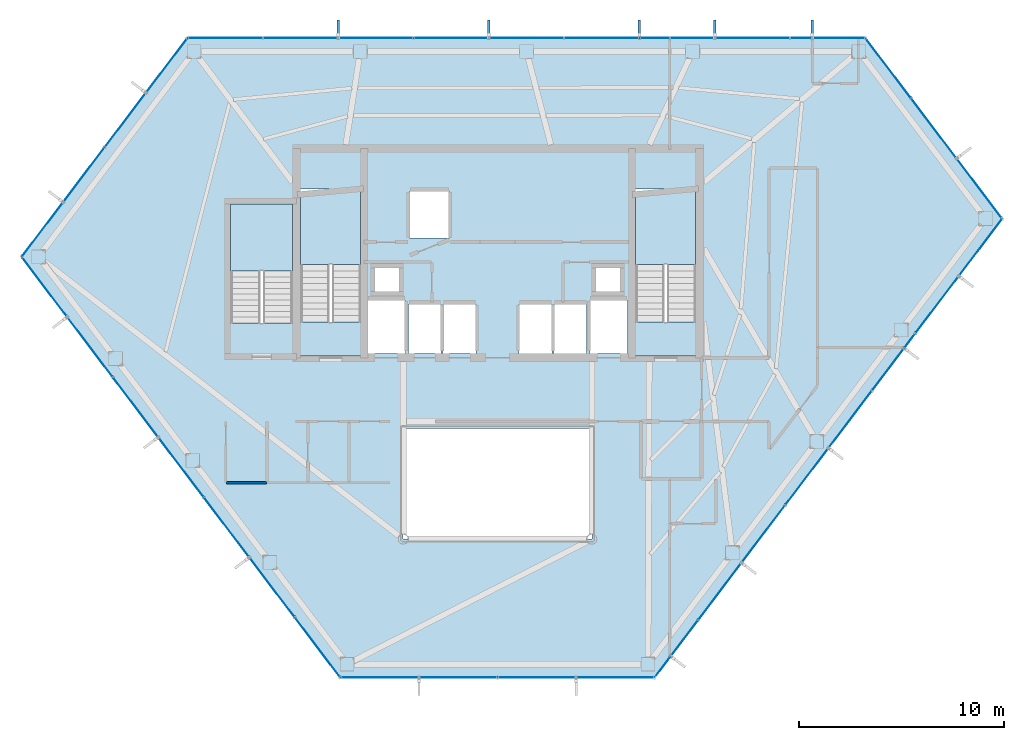
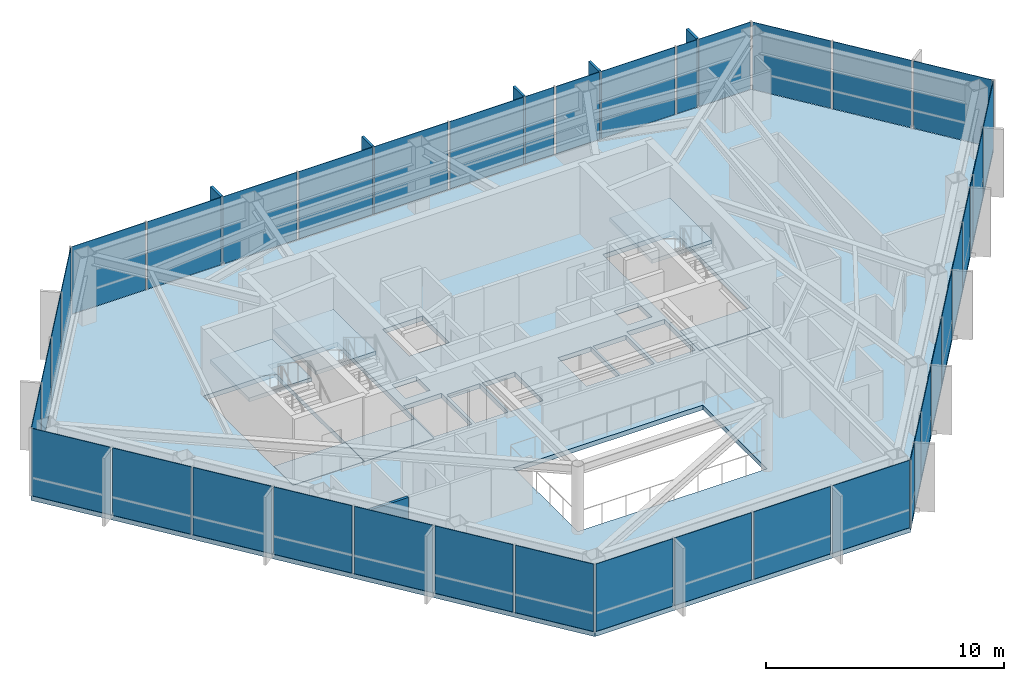
# One storey, part 24 of 28: 39 plates, 7 slabs, 5 members, 1 wall, 9 elements without a shape of their own.
"""IFC4 building model written with IfcOpenShell, lengths in metres."""

from ifc_helpers import new_model, si_unit, direction, frame, frame_2d, origin, origin_2d, place, context, subcontext, project, spatial, polyline, rectangle, outline, extrude, material, layer, layer_set, material_profile, profile_set, type_object, element, aggregate, save


model = new_model("IFC4")

# Units and contexts
model_context = context("Model", 3, precision=1e-05, world=origin(), true_north=direction((0.0, 1.0)))
body_context = subcontext(model_context, "Body", "Model", "MODEL_VIEW")
ifc_project = project(units=[si_unit("LENGTHUNIT", "METRE"), si_unit("AREAUNIT", "SQUARE_METRE"), si_unit("VOLUMEUNIT", "CUBIC_METRE"), si_unit("PLANEANGLEUNIT", "RADIAN"), si_unit("MASSUNIT", "GRAM", prefix="KILO")], contexts=[model_context])

# Site, building, storey
site_placement = place(None, origin())
site = spatial("IfcSite", under=ifc_project, at=site_placement, CompositionType="ELEMENT")
building_placement = place(site_placement, origin())
building = spatial("IfcBuilding", under=site, at=building_placement, Name="Zarrinselat Tower", CompositionType="ELEMENT")
storey_placement = place(building_placement, frame((0.0, 0.0, 168.300048828125)))
storey = spatial("IfcBuildingStorey", under=building, at=storey_placement, Name="L41", CompositionType="ELEMENT", Elevation=168.300048828125)

# Curtain wall, members, plates
ifc_material_1 = material(Name="Extruded Aluminium Alloy EN AW-6063 T6", Category="aluminium")
ifc_layer_1 = layer(ifc_material_1, 0.175048828125)
ifc_layer_set_1 = layer_set([ifc_layer_1], Name="Extruded Aluminium Alloy EN AW-6063 T6")
curtain_wall_type = type_object("IfcCurtainWallType", Name="CWS-HTL", PredefinedType="NOTDEFINED", material=ifc_layer_set_1)
curtain_wall_1_placement = place(storey_placement, origin())
curtain_wall_1 = element("IfcCurtainWall", 1, at=curtain_wall_1_placement, inside=storey, type_object=curtain_wall_type, Name="L41 Unitised Curtain Wall CW-L41-E01", PredefinedType="NOTDEFINED")
ifc_material_2 = material(Name="Honed Cream Travertine Stone", Category="masonry")
ifc_material_profile = material_profile(ifc_material_2, rectangle(XDim=0.1201171875, YDim=0.85009765625, at=origin_2d()), Name="FIN 850x120")
ifc_profile_set = profile_set([ifc_material_profile], Name="Honed Cream Travertine Stone")
member_type = type_object("IfcMemberType", Name="MEM-STONE-FIN", PredefinedType="USERDEFINED", material=ifc_profile_set)
member_1_placement = place(storey_placement, frame((53.74609375, 49.298828125, 0.0), z_axis=(0.0, 0.0, 1.0), x_axis=(1.0, 0.0, 0.0)))
member_1 = element("IfcMember", 2, at=member_1_placement, type_object=member_type, Name="L41 Stone Shading Fin CW-L41-E01-01", ObjectType="FIN", PredefinedType="USERDEFINED", context=body_context, shape_type="SweptSolid", body=[
    extrude(rectangle(XDim=0.1201171875, YDim=0.85009765625, at=origin_2d()), origin(), (0.0, 0.0, 1.0), 3.5),
])
member_2_placement = place(storey_placement, frame((48.99755859375, 49.298828125, 0.0), z_axis=(0.0, 0.0, 1.0), x_axis=(1.0, 0.0, 0.0)))
member_2 = element("IfcMember", 3, at=member_2_placement, type_object=member_type, Name="L41 Stone Shading Fin CW-L41-E01-03", ObjectType="FIN", PredefinedType="USERDEFINED", context=body_context, shape_type="SweptSolid", body=[
    extrude(rectangle(XDim=0.1201171875, YDim=0.85009765625, at=origin_2d()), origin(), (0.0, 0.0, 1.0), 3.5),
])
member_3_placement = place(storey_placement, frame((45.322998046875, 49.298828125, 0.0), z_axis=(0.0, 0.0, 1.0), x_axis=(1.0, 0.0, 0.0)))
member_3 = element("IfcMember", 4, at=member_3_placement, type_object=member_type, Name="L41 Stone Shading Fin CW-L41-E01-05", ObjectType="FIN", PredefinedType="USERDEFINED", context=body_context, shape_type="SweptSolid", body=[
    extrude(rectangle(XDim=0.1201171875, YDim=0.85009765625, at=origin_2d()), origin(), (0.0, 0.0, 1.0), 3.5),
])
member_4_placement = place(storey_placement, frame((37.973876953125, 49.298828125, 0.0), z_axis=(0.0, 0.0, 1.0), x_axis=(1.0, 0.0, 0.0)))
member_4 = element("IfcMember", 5, at=member_4_placement, type_object=member_type, Name="L41 Stone Shading Fin CW-L41-E01-07", ObjectType="FIN", PredefinedType="USERDEFINED", context=body_context, shape_type="SweptSolid", body=[
    extrude(rectangle(XDim=0.1201171875, YDim=0.85009765625, at=origin_2d()), origin(), (0.0, 0.0, 1.0), 3.5),
])
member_5_placement = place(storey_placement, frame((30.62451171875, 49.298828125, 0.0), z_axis=(0.0, 0.0, 1.0), x_axis=(1.0, 0.0, 0.0)))
member_5 = element("IfcMember", 6, at=member_5_placement, type_object=member_type, Name="L41 Stone Shading Fin CW-L41-E01-09", ObjectType="FIN", PredefinedType="USERDEFINED", context=body_context, shape_type="SweptSolid", body=[
    extrude(rectangle(XDim=0.1201171875, YDim=0.85009765625, at=origin_2d()), origin(), (0.0, 0.0, 1.0), 3.5),
])
ifc_material_3 = material(Name="Double Low-E Laminated Solar Glass", Category="glass")
ifc_layer_2 = layer(ifc_material_3, 0.028076171875)
ifc_layer_set_2 = layer_set([ifc_layer_2], Name="Double Low-E Laminated Solar Glass")
plate_type = type_object("IfcPlateType", Name="PLT-CW-GL28", PredefinedType="CURTAIN_PANEL", material=ifc_layer_set_2)
plate_1_placement = place(storey_placement, frame((55.04638671875, 48.8388671875, 0.02001953125), z_axis=(0.0, 0.0, 1.0), x_axis=(-1.0, 0.0, 0.0)))
plate_1 = element("IfcPlate", 7, at=plate_1_placement, type_object=plate_type, Name="CW-L41-E01 Vision Glass Panel 1", PredefinedType="CURTAIN_PANEL", context=body_context, shape_type="SweptSolid", body=[
    extrude(rectangle(XDim=2.500732421875, YDim=0.028076171875, at=origin_2d()), origin(), (0.0, 0.0, 1.0), 3.4599609375),
])
plate_2_placement = place(storey_placement, frame((53.208984375, 48.8388671875, 0.02001953125), z_axis=(0.0, 0.0, 1.0), x_axis=(-1.0, 0.0, 0.0)))
plate_2 = element("IfcPlate", 8, at=plate_2_placement, type_object=plate_type, Name="CW-L41-E01 Vision Glass Panel 2", PredefinedType="CURTAIN_PANEL", context=body_context, shape_type="SweptSolid", body=[
    extrude(rectangle(XDim=0.973876953125, YDim=0.028076171875, at=origin_2d()), origin(), (0.0, 0.0, 1.0), 3.4599609375),
])
plate_3_placement = place(storey_placement, frame((50.834716796875, 48.8388671875, 0.02001953125), z_axis=(0.0, 0.0, 1.0), x_axis=(-1.0, 0.0, 0.0)))
plate_3 = element("IfcPlate", 9, at=plate_3_placement, type_object=plate_type, Name="CW-L41-E01 Vision Glass Panel 3", PredefinedType="CURTAIN_PANEL", context=body_context, shape_type="SweptSolid", body=[
    extrude(rectangle(XDim=3.57470703125, YDim=0.028076171875, at=origin_2d()), origin(), (0.0, 0.0, 1.0), 3.4599609375),
])
plate_4_placement = place(storey_placement, frame((47.898681640625, 48.8388671875, 0.02001953125), z_axis=(0.0, 0.0, 1.0), x_axis=(-1.0, 0.0, 0.0)))
plate_4 = element("IfcPlate", 10, at=plate_4_placement, type_object=plate_type, Name="CW-L41-E01 Vision Glass Panel 4", PredefinedType="CURTAIN_PANEL", context=body_context, shape_type="SweptSolid", body=[
    extrude(rectangle(XDim=2.097412109375, YDim=0.028076171875, at=origin_2d()), origin(), (0.0, 0.0, 1.0), 3.4599609375),
])
plate_5_placement = place(storey_placement, frame((46.0615234375, 48.8388671875, 0.02001953125), z_axis=(0.0, 0.0, 1.0), x_axis=(-1.0, 0.0, 0.0)))
plate_5 = element("IfcPlate", 11, at=plate_5_placement, type_object=plate_type, Name="CW-L41-E01 Vision Glass Panel 5", PredefinedType="CURTAIN_PANEL", context=body_context, shape_type="SweptSolid", body=[
    extrude(rectangle(XDim=1.377197265625, YDim=0.028076171875, at=origin_2d()), origin(), (0.0, 0.0, 1.0), 3.4599609375),
])
plate_6_placement = place(storey_placement, frame((43.485595703125, 48.8388671875, 0.02001953125), z_axis=(0.0, 0.0, 1.0), x_axis=(-1.0, 0.0, 0.0)))
plate_6 = element("IfcPlate", 12, at=plate_6_placement, type_object=plate_type, Name="CW-L41-E01 Vision Glass Panel 6", PredefinedType="CURTAIN_PANEL", context=body_context, shape_type="SweptSolid", body=[
    extrude(rectangle(XDim=3.57470703125, YDim=0.028076171875, at=origin_2d()), origin(), (0.0, 0.0, 1.0), 3.4599609375),
])
plate_7_placement = place(storey_placement, frame((39.81103515625, 48.8388671875, 0.02001953125), z_axis=(0.0, 0.0, 1.0), x_axis=(-1.0, 0.0, 0.0)))
plate_7 = element("IfcPlate", 13, at=plate_7_placement, type_object=plate_type, Name="CW-L41-E01 Vision Glass Panel 7", PredefinedType="CURTAIN_PANEL", context=body_context, shape_type="SweptSolid", body=[
    extrude(rectangle(XDim=3.57470703125, YDim=0.028076171875, at=origin_2d()), origin(), (0.0, 0.0, 1.0), 3.4599609375),
])
plate_8_placement = place(storey_placement, frame((36.136474609375, 48.8388671875, 0.02001953125), z_axis=(0.0, 0.0, 1.0), x_axis=(-1.0, 0.0, 0.0)))
plate_8 = element("IfcPlate", 14, at=plate_8_placement, type_object=plate_type, Name="CW-L41-E01 Vision Glass Panel 8", PredefinedType="CURTAIN_PANEL", context=body_context, shape_type="SweptSolid", body=[
    extrude(rectangle(XDim=3.57470703125, YDim=0.028076171875, at=origin_2d()), origin(), (0.0, 0.0, 1.0), 3.4599609375),
])
plate_9_placement = place(storey_placement, frame((32.4619140625, 48.8388671875, 0.02001953125), z_axis=(0.0, 0.0, 1.0), x_axis=(-1.0, 0.0, 0.0)))
plate_9 = element("IfcPlate", 15, at=plate_9_placement, type_object=plate_type, Name="CW-L41-E01 Vision Glass Panel 9", PredefinedType="CURTAIN_PANEL", context=body_context, shape_type="SweptSolid", body=[
    extrude(rectangle(XDim=3.57470703125, YDim=0.028076171875, at=origin_2d()), origin(), (0.0, 0.0, 1.0), 3.4599609375),
])
plate_10_placement = place(storey_placement, frame((28.787353515625, 48.8388671875, 0.02001953125), z_axis=(0.0, 0.0, 1.0), x_axis=(-1.0, 0.0, 0.0)))
plate_10 = element("IfcPlate", 16, at=plate_10_placement, type_object=plate_type, Name="CW-L41-E01 Vision Glass Panel 10", PredefinedType="CURTAIN_PANEL", context=body_context, shape_type="SweptSolid", body=[
    extrude(rectangle(XDim=3.57470703125, YDim=0.028076171875, at=origin_2d()), origin(), (0.0, 0.0, 1.0), 3.4599609375),
])
plate_11_placement = place(storey_placement, frame((25.11279296875, 48.8388671875, 0.02001953125), z_axis=(0.0, 0.0, 1.0), x_axis=(-1.0, 0.0, 0.0)))
plate_11 = element("IfcPlate", 17, at=plate_11_placement, type_object=plate_type, Name="CW-L41-E01 Vision Glass Panel 11", PredefinedType="CURTAIN_PANEL", context=body_context, shape_type="SweptSolid", body=[
    extrude(rectangle(XDim=3.57470703125, YDim=0.028076171875, at=origin_2d()), origin(), (0.0, 0.0, 1.0), 3.4599609375),
])
aggregate(curtain_wall_1, [member_1, member_2, member_3, member_4, member_5, plate_1, plate_2, plate_3, plate_4, plate_5, plate_6, plate_7, plate_8, plate_9, plate_10, plate_11])

# Curtain wall, plates
curtain_wall_2_placement = place(storey_placement, origin())
curtain_wall_2 = element("IfcCurtainWall", 18, at=curtain_wall_2_placement, inside=storey, type_object=curtain_wall_type, Name="L41 Unitised Curtain Wall CW-L41-E02", PredefinedType="NOTDEFINED")
plate_12_placement = place(storey_placement, frame((22.26513671875, 47.50537109375, 0.02001953125), z_axis=(0.0, 0.0, 1.0), x_axis=(-0.603854523079, -0.797094545808, 0.0)))
plate_12 = element("IfcPlate", 19, at=plate_12_placement, type_object=plate_type, Name="CW-L41-E02 Vision Glass Panel 1", PredefinedType="CURTAIN_PANEL", context=body_context, shape_type="SweptSolid", body=[
    extrude(rectangle(XDim=3.245849609375, YDim=0.028076171875, at=origin_2d()), origin(), (0.0, 0.0, 1.0), 3.4599609375),
])
plate_13_placement = place(storey_placement, frame((20.244873046875, 44.83837890625, 0.02001953125), z_axis=(0.0, 0.0, 1.0), x_axis=(-0.603854523079, -0.797094545808, 0.0)))
plate_13 = element("IfcPlate", 20, at=plate_13_placement, type_object=plate_type, Name="CW-L41-E02 Vision Glass Panel 2", PredefinedType="CURTAIN_PANEL", context=body_context, shape_type="SweptSolid", body=[
    extrude(rectangle(XDim=3.245849609375, YDim=0.028076171875, at=origin_2d()), origin(), (0.0, 0.0, 1.0), 3.4599609375),
])
plate_14_placement = place(storey_placement, frame((18.224365234375, 42.17138671875, 0.02001953125), z_axis=(0.0, 0.0, 1.0), x_axis=(-0.603854523079, -0.797094545808, 0.0)))
plate_14 = element("IfcPlate", 21, at=plate_14_placement, type_object=plate_type, Name="CW-L41-E02 Vision Glass Panel 3", PredefinedType="CURTAIN_PANEL", context=body_context, shape_type="SweptSolid", body=[
    extrude(rectangle(XDim=3.245849609375, YDim=0.028076171875, at=origin_2d()), origin(), (0.0, 0.0, 1.0), 3.4599609375),
])
plate_15_placement = place(storey_placement, frame((16.2041015625, 39.504638671875, 0.02001953125), z_axis=(0.0, 0.0, 1.0), x_axis=(-0.603854523079, -0.797094545808, 0.0)))
plate_15 = element("IfcPlate", 22, at=plate_15_placement, type_object=plate_type, Name="CW-L41-E02 Vision Glass Panel 4", PredefinedType="CURTAIN_PANEL", context=body_context, shape_type="SweptSolid", body=[
    extrude(rectangle(XDim=3.245849609375, YDim=0.028076171875, at=origin_2d()), origin(), (0.0, 0.0, 1.0), 3.4599609375),
])
aggregate(curtain_wall_2, [plate_12, plate_13, plate_14, plate_15])

curtain_wall_3_placement = place(storey_placement, origin())
curtain_wall_3 = element("IfcCurtainWall", 23, at=curtain_wall_3_placement, inside=storey, type_object=curtain_wall_type, Name="L41 Unitised Curtain Wall CW-L41-E03", PredefinedType="NOTDEFINED")
plate_16_placement = place(storey_placement, frame((16.30419921875, 36.70556640625, 0.02001953125), z_axis=(0.0, 0.0, 1.0), x_axis=(0.603857987184, -0.797091921496, 0.0)))
plate_16 = element("IfcPlate", 24, at=plate_16_placement, type_object=plate_type, Name="CW-L41-E03 Vision Glass Panel 1", PredefinedType="CURTAIN_PANEL", context=body_context, shape_type="SweptSolid", body=[
    extrude(rectangle(XDim=3.577392578125, YDim=0.028076171875, at=origin_2d()), origin(), (0.0, 0.0, 1.0), 3.4599609375),
])
plate_17_placement = place(storey_placement, frame((18.524658203125, 33.7744140625, 0.02001953125), z_axis=(0.0, 0.0, 1.0), x_axis=(0.603857987184, -0.797091921496, 0.0)))
plate_17 = element("IfcPlate", 25, at=plate_17_placement, type_object=plate_type, Name="CW-L41-E03 Vision Glass Panel 2", PredefinedType="CURTAIN_PANEL", context=body_context, shape_type="SweptSolid", body=[
    extrude(rectangle(XDim=3.577392578125, YDim=0.028076171875, at=origin_2d()), origin(), (0.0, 0.0, 1.0), 3.4599609375),
])
plate_18_placement = place(storey_placement, frame((20.7451171875, 30.84326171875, 0.02001953125), z_axis=(0.0, 0.0, 1.0), x_axis=(0.603857987184, -0.797091921496, 0.0)))
plate_18 = element("IfcPlate", 26, at=plate_18_placement, type_object=plate_type, Name="CW-L41-E03 Vision Glass Panel 3", PredefinedType="CURTAIN_PANEL", context=body_context, shape_type="SweptSolid", body=[
    extrude(rectangle(XDim=3.577392578125, YDim=0.028076171875, at=origin_2d()), origin(), (0.0, 0.0, 1.0), 3.4599609375),
])
plate_19_placement = place(storey_placement, frame((22.9658203125, 27.912109375, 0.02001953125), z_axis=(0.0, 0.0, 1.0), x_axis=(0.603857987184, -0.797091921496, 0.0)))
plate_19 = element("IfcPlate", 27, at=plate_19_placement, type_object=plate_type, Name="CW-L41-E03 Vision Glass Panel 4", PredefinedType="CURTAIN_PANEL", context=body_context, shape_type="SweptSolid", body=[
    extrude(rectangle(XDim=3.577392578125, YDim=0.028076171875, at=origin_2d()), origin(), (0.0, 0.0, 1.0), 3.4599609375),
])
plate_20_placement = place(storey_placement, frame((25.186279296875, 24.981201171875, 0.02001953125), z_axis=(0.0, 0.0, 1.0), x_axis=(0.603857987184, -0.797091921496, 0.0)))
plate_20 = element("IfcPlate", 28, at=plate_20_placement, type_object=plate_type, Name="CW-L41-E03 Vision Glass Panel 5", PredefinedType="CURTAIN_PANEL", context=body_context, shape_type="SweptSolid", body=[
    extrude(rectangle(XDim=3.577392578125, YDim=0.028076171875, at=origin_2d()), origin(), (0.0, 0.0, 1.0), 3.4599609375),
])
plate_21_placement = place(storey_placement, frame((27.40673828125, 22.050048828125, 0.02001953125), z_axis=(0.0, 0.0, 1.0), x_axis=(0.603857987184, -0.797091921496, 0.0)))
plate_21 = element("IfcPlate", 29, at=plate_21_placement, type_object=plate_type, Name="CW-L41-E03 Vision Glass Panel 6", PredefinedType="CURTAIN_PANEL", context=body_context, shape_type="SweptSolid", body=[
    extrude(rectangle(XDim=3.577392578125, YDim=0.028076171875, at=origin_2d()), origin(), (0.0, 0.0, 1.0), 3.4599609375),
])
plate_22_placement = place(storey_placement, frame((29.627197265625, 19.118896484375, 0.02001953125), z_axis=(0.0, 0.0, 1.0), x_axis=(0.603857987184, -0.797091921496, 0.0)))
plate_22 = element("IfcPlate", 30, at=plate_22_placement, type_object=plate_type, Name="CW-L41-E03 Vision Glass Panel 7", PredefinedType="CURTAIN_PANEL", context=body_context, shape_type="SweptSolid", body=[
    extrude(rectangle(XDim=3.577392578125, YDim=0.028076171875, at=origin_2d()), origin(), (0.0, 0.0, 1.0), 3.4599609375),
])
aggregate(curtain_wall_3, [plate_16, plate_17, plate_18, plate_19, plate_20, plate_21, plate_22])

curtain_wall_4_placement = place(storey_placement, origin())
curtain_wall_4 = element("IfcCurtainWall", 31, at=curtain_wall_4_placement, inside=storey, type_object=curtain_wall_type, Name="L41 Unitised Curtain Wall CW-L41-E04", PredefinedType="NOTDEFINED")
plate_23_placement = place(storey_placement, frame((32.6533203125, 17.6533203125, 0.02001953125), z_axis=(0.0, 0.0, 1.0), x_axis=(1.0, 0.0, 0.0)))
plate_23 = element("IfcPlate", 32, at=plate_23_placement, type_object=plate_type, Name="CW-L41-E04 Vision Glass Panel 1", PredefinedType="CURTAIN_PANEL", context=body_context, shape_type="SweptSolid", body=[
    extrude(rectangle(XDim=3.731201171875, YDim=0.028076171875, at=origin_2d()), origin(), (0.0, 0.0, 1.0), 3.4599609375),
])
plate_24_placement = place(storey_placement, frame((36.484375, 17.6533203125, 0.02001953125), z_axis=(0.0, 0.0, 1.0), x_axis=(1.0, 0.0, 0.0)))
plate_24 = element("IfcPlate", 33, at=plate_24_placement, type_object=plate_type, Name="CW-L41-E04 Vision Glass Panel 2", PredefinedType="CURTAIN_PANEL", context=body_context, shape_type="SweptSolid", body=[
    extrude(rectangle(XDim=3.731201171875, YDim=0.028076171875, at=origin_2d()), origin(), (0.0, 0.0, 1.0), 3.4599609375),
])
plate_25_placement = place(storey_placement, frame((40.315673828125, 17.6533203125, 0.02001953125), z_axis=(0.0, 0.0, 1.0), x_axis=(1.0, 0.0, 0.0)))
plate_25 = element("IfcPlate", 34, at=plate_25_placement, type_object=plate_type, Name="CW-L41-E04 Vision Glass Panel 3", PredefinedType="CURTAIN_PANEL", context=body_context, shape_type="SweptSolid", body=[
    extrude(rectangle(XDim=3.731201171875, YDim=0.028076171875, at=origin_2d()), origin(), (0.0, 0.0, 1.0), 3.4599609375),
])
plate_26_placement = place(storey_placement, frame((44.146728515625, 17.6533203125, 0.02001953125), z_axis=(0.0, 0.0, 1.0), x_axis=(1.0, 0.0, 0.0)))
plate_26 = element("IfcPlate", 35, at=plate_26_placement, type_object=plate_type, Name="CW-L41-E04 Vision Glass Panel 4", PredefinedType="CURTAIN_PANEL", context=body_context, shape_type="SweptSolid", body=[
    extrude(rectangle(XDim=3.731201171875, YDim=0.028076171875, at=origin_2d()), origin(), (0.0, 0.0, 1.0), 3.4599609375),
])
aggregate(curtain_wall_4, [plate_23, plate_24, plate_25, plate_26])

curtain_wall_5_placement = place(storey_placement, origin())
curtain_wall_5 = element("IfcCurtainWall", 36, at=curtain_wall_5_placement, inside=storey, type_object=curtain_wall_type, Name="L41 Unitised Curtain Wall CW-L41-E05", PredefinedType="NOTDEFINED")
plate_27_placement = place(storey_placement, frame((46.455078125, 18.171630859375, 0.02001953125), z_axis=(0.0, 0.0, 1.0), x_axis=(0.603858853713, 0.797091265033, 0.0)))
plate_27 = element("IfcPlate", 37, at=plate_27_placement, type_object=plate_type, Name="CW-L41-E05 Vision Glass Panel 1", PredefinedType="CURTAIN_PANEL", context=body_context, shape_type="SweptSolid", body=[
    extrude(rectangle(XDim=1.20068359375, YDim=0.028076171875, at=origin_2d()), origin(), (0.0, 0.0, 1.0), 3.4599609375),
])
plate_28_placement = place(storey_placement, frame((47.514892578125, 19.570556640625, 0.02001953125), z_axis=(0.0, 0.0, 1.0), x_axis=(0.603858853713, 0.797091265033, 0.0)))
plate_28 = element("IfcPlate", 38, at=plate_28_placement, type_object=plate_type, Name="CW-L41-E05 Vision Glass Panel 2", PredefinedType="CURTAIN_PANEL", context=body_context, shape_type="SweptSolid", body=[
    extrude(rectangle(XDim=2.10888671875, YDim=0.028076171875, at=origin_2d()), origin(), (0.0, 0.0, 1.0), 3.4599609375),
])
plate_29_placement = place(storey_placement, frame((49.241455078125, 21.849609375, 0.02001953125), z_axis=(0.0, 0.0, 1.0), x_axis=(0.603858853713, 0.797091265033, 0.0)))
plate_29 = element("IfcPlate", 39, at=plate_29_placement, type_object=plate_type, Name="CW-L41-E05 Vision Glass Panel 3", PredefinedType="CURTAIN_PANEL", context=body_context, shape_type="SweptSolid", body=[
    extrude(rectangle(XDim=3.40966796875, YDim=0.028076171875, at=origin_2d()), origin(), (0.0, 0.0, 1.0), 3.4599609375),
])
plate_30_placement = place(storey_placement, frame((51.36083984375, 24.647216796875, 0.02001953125), z_axis=(0.0, 0.0, 1.0), x_axis=(0.603858853713, 0.797091265033, 0.0)))
plate_30 = element("IfcPlate", 40, at=plate_30_placement, type_object=plate_type, Name="CW-L41-E05 Vision Glass Panel 4", PredefinedType="CURTAIN_PANEL", context=body_context, shape_type="SweptSolid", body=[
    extrude(rectangle(XDim=3.40966796875, YDim=0.028076171875, at=origin_2d()), origin(), (0.0, 0.0, 1.0), 3.4599609375),
])
plate_31_placement = place(storey_placement, frame((53.480224609375, 27.444580078125, 0.02001953125), z_axis=(0.0, 0.0, 1.0), x_axis=(0.603858853713, 0.797091265033, 0.0)))
plate_31 = element("IfcPlate", 41, at=plate_31_placement, type_object=plate_type, Name="CW-L41-E05 Vision Glass Panel 5", PredefinedType="CURTAIN_PANEL", context=body_context, shape_type="SweptSolid", body=[
    extrude(rectangle(XDim=3.40966796875, YDim=0.028076171875, at=origin_2d()), origin(), (0.0, 0.0, 1.0), 3.4599609375),
])
plate_32_placement = place(storey_placement, frame((55.599609375, 30.2421875, 0.02001953125), z_axis=(0.0, 0.0, 1.0), x_axis=(0.603858853713, 0.797091265033, 0.0)))
plate_32 = element("IfcPlate", 42, at=plate_32_placement, type_object=plate_type, Name="CW-L41-E05 Vision Glass Panel 6", PredefinedType="CURTAIN_PANEL", context=body_context, shape_type="SweptSolid", body=[
    extrude(rectangle(XDim=3.40966796875, YDim=0.028076171875, at=origin_2d()), origin(), (0.0, 0.0, 1.0), 3.4599609375),
])
plate_33_placement = place(storey_placement, frame((57.4453125, 32.6787109375, 0.02001953125), z_axis=(0.0, 0.0, 1.0), x_axis=(0.603858853713, 0.797091265033, 0.0)))
plate_33 = element("IfcPlate", 43, at=plate_33_placement, type_object=plate_type, Name="CW-L41-E05 Vision Glass Panel 7", PredefinedType="CURTAIN_PANEL", context=body_context, shape_type="SweptSolid", body=[
    extrude(rectangle(XDim=2.503662109375, YDim=0.028076171875, at=origin_2d()), origin(), (0.0, 0.0, 1.0), 3.4599609375),
])
plate_34_placement = place(storey_placement, frame((58.5048828125, 34.077392578125, 0.02001953125), z_axis=(0.0, 0.0, 1.0), x_axis=(0.603858853713, 0.797091265033, 0.0)))
plate_34 = element("IfcPlate", 44, at=plate_34_placement, type_object=plate_type, Name="CW-L41-E05 Vision Glass Panel 8", PredefinedType="CURTAIN_PANEL", context=body_context, shape_type="SweptSolid", body=[
    extrude(rectangle(XDim=0.80615234375, YDim=0.028076171875, at=origin_2d()), origin(), (0.0, 0.0, 1.0), 3.4599609375),
])
plate_35_placement = place(storey_placement, frame((59.83837890625, 35.83740234375, 0.02001953125), z_axis=(0.0, 0.0, 1.0), x_axis=(0.603858853713, 0.797091265033, 0.0)))
plate_35 = element("IfcPlate", 45, at=plate_35_placement, type_object=plate_type, Name="CW-L41-E05 Vision Glass Panel 9", PredefinedType="CURTAIN_PANEL", context=body_context, shape_type="SweptSolid", body=[
    extrude(rectangle(XDim=3.40966796875, YDim=0.028076171875, at=origin_2d()), origin(), (0.0, 0.0, 1.0), 3.4599609375),
])
plate_36_placement = place(storey_placement, frame((61.95751953125, 38.635009765625, 0.02001953125), z_axis=(0.0, 0.0, 1.0), x_axis=(0.603858853713, 0.797091265033, 0.0)))
plate_36 = element("IfcPlate", 46, at=plate_36_placement, type_object=plate_type, Name="CW-L41-E05 Vision Glass Panel 10", PredefinedType="CURTAIN_PANEL", context=body_context, shape_type="SweptSolid", body=[
    extrude(rectangle(XDim=3.40966796875, YDim=0.028076171875, at=origin_2d()), origin(), (0.0, 0.0, 1.0), 3.4599609375),
])
aggregate(curtain_wall_5, [plate_27, plate_28, plate_29, plate_30, plate_31, plate_32, plate_33, plate_34, plate_35, plate_36])

curtain_wall_6_placement = place(storey_placement, origin())
curtain_wall_6 = element("IfcCurtainWall", 47, at=curtain_wall_6_placement, inside=storey, type_object=curtain_wall_type, Name="L41 Unitised Curtain Wall CW-L41-E06", PredefinedType="NOTDEFINED")
plate_37_placement = place(storey_placement, frame((61.905517578125, 41.501220703125, 0.02001953125), z_axis=(0.0, 0.0, 1.0), x_axis=(-0.603857339419, 0.797092412227, 0.0)))
plate_37 = element("IfcPlate", 48, at=plate_37_placement, type_object=plate_type, Name="CW-L41-E06 Vision Glass Panel 1", PredefinedType="CURTAIN_PANEL", context=body_context, shape_type="SweptSolid", body=[
    extrude(rectangle(XDim=3.582275390625, YDim=0.028076171875, at=origin_2d()), origin(), (0.0, 0.0, 1.0), 3.4599609375),
])
plate_38_placement = place(storey_placement, frame((59.681884765625, 44.436279296875, 0.02001953125), z_axis=(0.0, 0.0, 1.0), x_axis=(-0.603857339419, 0.797092412227, 0.0)))
plate_38 = element("IfcPlate", 49, at=plate_38_placement, type_object=plate_type, Name="CW-L41-E06 Vision Glass Panel 2", PredefinedType="CURTAIN_PANEL", context=body_context, shape_type="SweptSolid", body=[
    extrude(rectangle(XDim=3.582275390625, YDim=0.028076171875, at=origin_2d()), origin(), (0.0, 0.0, 1.0), 3.4599609375),
])
plate_39_placement = place(storey_placement, frame((57.45849609375, 47.371337890625, 0.02001953125), z_axis=(0.0, 0.0, 1.0), x_axis=(-0.603857339419, 0.797092412227, 0.0)))
plate_39 = element("IfcPlate", 50, at=plate_39_placement, type_object=plate_type, Name="CW-L41-E06 Vision Glass Panel 3", PredefinedType="CURTAIN_PANEL", context=body_context, shape_type="SweptSolid", body=[
    extrude(rectangle(XDim=3.582275390625, YDim=0.028076171875, at=origin_2d()), origin(), (0.0, 0.0, 1.0), 3.4599609375),
])
aggregate(curtain_wall_6, [plate_37, plate_38, plate_39])

# Slabs
ifc_material_4 = material(Name="Concrete C40/50", Category="concrete")
ifc_layer_3 = layer(ifc_material_4, 0.239990234375)
ifc_layer_set_3 = layer_set([ifc_layer_3], Name="Concrete C40/50")
slab_type_1 = type_object("IfcSlabType", Name="SLB-FLOOR-240-SL-HT240", PredefinedType="FLOOR", material=ifc_layer_set_3)
slab_1_placement = place(storey_placement, frame((0.0, 0.0, -0.239990234375)))
element("IfcSlab", 51, at=slab_1_placement, inside=storey, type_object=slab_type_1, Name="L41 Primary Structural Slab", PredefinedType="FLOOR", context=body_context, shape_type="SweptSolid", body=[
    extrude(outline(polyline([(56.3466796875, 48.8388671875), (23.275390625, 48.8388671875), (15.19384765625, 38.171142578125), (30.737548828125, 17.6533203125), (46.0625, 17.6533203125), (63.017333984375, 40.03369140625), (56.3466796875, 48.8388671875)]), holes=[polyline([(35.64990234375, 33.449951171875), (34.050048828125, 33.449951171875), (34.050048828125, 35.85009765625), (35.64990234375, 35.85009765625), (35.64990234375, 33.449951171875)]), polyline([(35.75, 33.449951171875), (35.75, 35.85009765625), (37.35009765625, 35.85009765625), (37.35009765625, 33.449951171875), (35.75, 33.449951171875)]), polyline([(32.06005859375, 33.449951171875), (32.06005859375, 36.050048828125), (33.89990234375, 36.050048828125), (33.89990234375, 33.449951171875), (32.06005859375, 33.449951171875)]), polyline([(33.60009765625, 36.47998046875), (32.419921875, 36.47998046875), (32.419921875, 37.639892578125), (33.60009765625, 37.639892578125), (33.60009765625, 36.47998046875)]), polyline([(28.594970703125, 33.324951171875), (25.114990234375, 33.324951171875), (25.114990234375, 40.875), (28.594970703125, 40.875), (28.594970703125, 33.324951171875)]), polyline([(31.985107421875, 33.324951171875), (28.60498046875, 33.324951171875), (28.60498046875, 41.47509765625), (31.985107421875, 41.47509765625), (31.985107421875, 33.324951171875)]), polyline([(36.050048828125, 39.10009765625), (34.10009765625, 39.10009765625), (34.10009765625, 41.35009765625), (36.050048828125, 41.35009765625), (36.050048828125, 39.10009765625)]), polyline([(33.800048828125, 24.39990234375), (33.800048828125, 29.800048828125), (43.0, 29.800048828125), (43.0, 24.39990234375), (33.800048828125, 24.39990234375)]), polyline([(39.449951171875, 33.449951171875), (39.449951171875, 35.85009765625), (41.050048828125, 35.85009765625), (41.050048828125, 33.449951171875), (39.449951171875, 33.449951171875)]), polyline([(41.14990234375, 33.449951171875), (41.14990234375, 35.85009765625), (42.75, 35.85009765625), (42.75, 33.449951171875), (41.14990234375, 33.449951171875)]), polyline([(42.89990234375, 33.449951171875), (42.89990234375, 36.050048828125), (44.739990234375, 36.050048828125), (44.739990234375, 33.449951171875), (42.89990234375, 33.449951171875)]), polyline([(43.199951171875, 36.47998046875), (43.199951171875, 37.639892578125), (44.3798828125, 37.639892578125), (44.3798828125, 36.47998046875), (43.199951171875, 36.47998046875)]), polyline([(48.324951171875, 33.324951171875), (44.875, 33.324951171875), (44.875, 41.47509765625), (48.324951171875, 41.47509765625), (48.324951171875, 33.324951171875)])]), origin(), (0.0, 0.0, 1.0), 0.239990234375),
])
slab_2_placement = place(storey_placement, frame((0.0, 0.0, -0.239990234375)))
element("IfcSlab", 52, at=slab_2_placement, inside=storey, type_object=slab_type_1, Name="L41 Stair ST-1-FL1 Structural Floor Landing", PredefinedType="FLOOR", context=body_context, shape_type="SweptSolid", body=[
    extrude(outline(polyline([(31.97998046875, 33.330078125), (31.97998046875, 35.0), (28.610107421875, 35.0), (28.610107421875, 33.330078125), (31.97998046875, 33.330078125)])), origin(), (0.0, 0.0, 1.0), 0.239990234375),
])
slab_3_placement = place(storey_placement, frame((0.0, 0.0, -0.239990234375)))
element("IfcSlab", 53, at=slab_3_placement, inside=storey, type_object=slab_type_1, Name="L41 Stair ST-2-FL1 Structural Floor Landing", PredefinedType="FLOOR", context=body_context, shape_type="SweptSolid", body=[
    extrude(outline(polyline([(48.320068359375, 33.330078125), (48.320068359375, 35.0), (44.8798828125, 35.0), (44.8798828125, 33.330078125), (48.320068359375, 33.330078125)])), origin(), (0.0, 0.0, 1.0), 0.239990234375),
])
slab_4_placement = place(storey_placement, frame((0.0, 0.0, -0.239990234375)))
element("IfcSlab", 54, at=slab_4_placement, inside=storey, type_object=slab_type_1, Name="L41 Stair ST-3-FL1 Structural Floor Landing", PredefinedType="FLOOR", context=body_context, shape_type="SweptSolid", body=[
    extrude(outline(polyline([(28.590087890625, 33.330078125), (28.590087890625, 34.949951171875), (25.1201171875, 34.949951171875), (25.1201171875, 33.330078125), (28.590087890625, 33.330078125)])), origin(), (0.0, 0.0, 1.0), 0.239990234375),
])

# Stair, slab
ifc_material_5 = material(Name="Concrete C40/50", Category="concrete")
stair_type_1 = type_object("IfcStairType", Name="STR-CORE-145", PredefinedType="HALF_TURN_STAIR", material=ifc_material_5)
stair_1_placement = place(storey_placement, origin())
stair_1 = element("IfcStair", 55, at=stair_1_placement, inside=storey, type_object=stair_type_1, Name="L41 Podium & Mid-Tower Exit Stair 3", PredefinedType="HALF_TURN_STAIR")
ifc_material_6 = material(Name="Concrete C40/50", Category="concrete")
ifc_layer_4 = layer(ifc_material_6, 0.1650390625)
ifc_layer_set_4 = layer_set([ifc_layer_4], Name="Concrete C40/50")
slab_type_2 = type_object("IfcSlabType", Name="SLB-LND-165", PredefinedType="LANDING", material=ifc_layer_set_4)
slab_5_placement = place(storey_placement, frame((0.0, 0.0, 1.669921875)))
slab_5 = element("IfcSlab", 56, at=slab_5_placement, type_object=slab_type_2, Name="ST-3 landing 1", PredefinedType="LANDING", context=body_context, shape_type="SweptSolid", body=[
    extrude(outline(polyline([(28.39990234375, 37.469970703125), (28.39990234375, 40.75), (25.3798828125, 40.75), (25.3798828125, 37.469970703125), (28.39990234375, 37.469970703125)])), origin(), (0.0, 0.0, 1.0), 0.199951171875),
])
aggregate(stair_1, [slab_5])

ifc_material_7 = material(Name="Concrete C40/50", Category="concrete")
stair_type_2 = type_object("IfcStairType", Name="STR-CORE-155", PredefinedType="HALF_TURN_STAIR", material=ifc_material_7)
stair_2_placement = place(storey_placement, origin())
stair_2 = element("IfcStair", 57, at=stair_2_placement, inside=storey, type_object=stair_type_2, Name="L41 Core Exit Stair 1", PredefinedType="HALF_TURN_STAIR")
ifc_material_8 = material(Name="Concrete C40/50", Category="concrete")
ifc_layer_5 = layer(ifc_material_8, 0.18994140625)
ifc_layer_set_5 = layer_set([ifc_layer_5], Name="Concrete C40/50")
slab_type_3 = type_object("IfcSlabType", Name="SLB-LND-190", PredefinedType="LANDING", material=ifc_layer_set_5)
slab_6_placement = place(storey_placement, frame((0.0, 0.0, 1.669921875)))
slab_6 = element("IfcSlab", 58, at=slab_6_placement, type_object=slab_type_3, Name="ST-1 landing 1", PredefinedType="LANDING", context=body_context, shape_type="SweptSolid", body=[
    extrude(outline(polyline([(31.719970703125, 37.7900390625), (31.719970703125, 41.35009765625), (28.800048828125, 41.35009765625), (28.800048828125, 37.7900390625), (31.719970703125, 37.7900390625)])), origin(), (0.0, 0.0, 1.0), 0.199951171875),
])
aggregate(stair_2, [slab_6])

stair_3_placement = place(storey_placement, origin())
stair_3 = element("IfcStair", 59, at=stair_3_placement, inside=storey, type_object=stair_type_2, Name="L41 Core Exit Stair 2", PredefinedType="HALF_TURN_STAIR")
slab_7_placement = place(storey_placement, frame((0.0, 0.0, 1.669921875)))
slab_7 = element("IfcSlab", 60, at=slab_7_placement, type_object=slab_type_3, Name="ST-2 landing 1", PredefinedType="LANDING", context=body_context, shape_type="SweptSolid", body=[
    extrude(outline(polyline([(48.06005859375, 37.7900390625), (48.06005859375, 41.35009765625), (45.139892578125, 41.35009765625), (45.139892578125, 37.7900390625), (48.06005859375, 37.7900390625)])), origin(), (0.0, 0.0, 1.0), 0.199951171875),
])
aggregate(stair_3, [slab_7])

# Wall
ifc_material_9 = material(Name="Fire-Rated Gypsum Board Partition", Category="gypsum")
ifc_layer_6 = layer(ifc_material_9, 0.1201171875)
ifc_layer_set_6 = layer_set([ifc_layer_6], Name="Fire-Rated Gypsum Board Partition")
wall_type = type_object("IfcWallType", Name="WAL-PART-STD", PredefinedType="PARTITIONING", material=ifc_layer_set_6)
wall_placement = place(storey_placement, frame((25.169921875, 27.14990234375, 0.0), z_axis=(0.0, 0.0, 1.0), x_axis=(1.0, 0.0, 0.0)))
element("IfcWall", 61, at=wall_placement, inside=storey, type_object=wall_type, Name="L41 Partition Wall 29", PredefinedType="PARTITIONING", context=body_context, shape_type="SweptSolid", body=[
    extrude(rectangle(XDim=1.9599609375, YDim=0.1201171875, at=frame_2d((0.97998046875, 0.0))), origin(), (0.0, 0.0, 1.0), 2.45703125),
])

save(model, "model.ifc")
